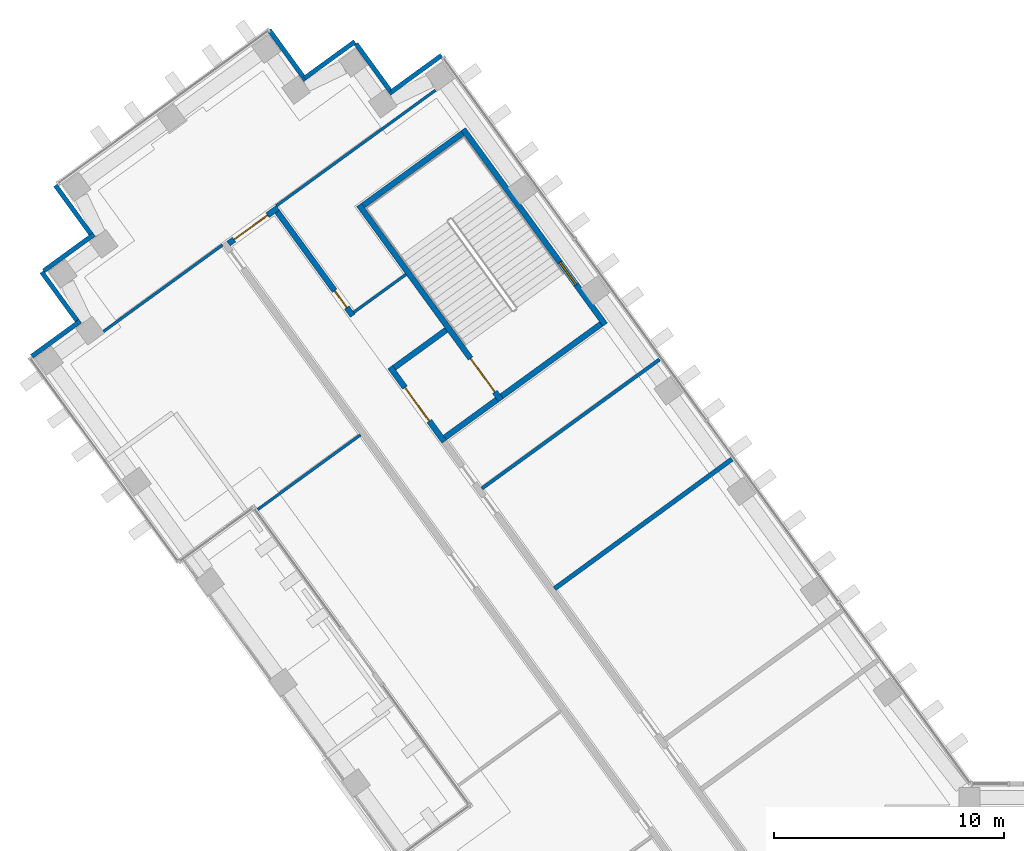
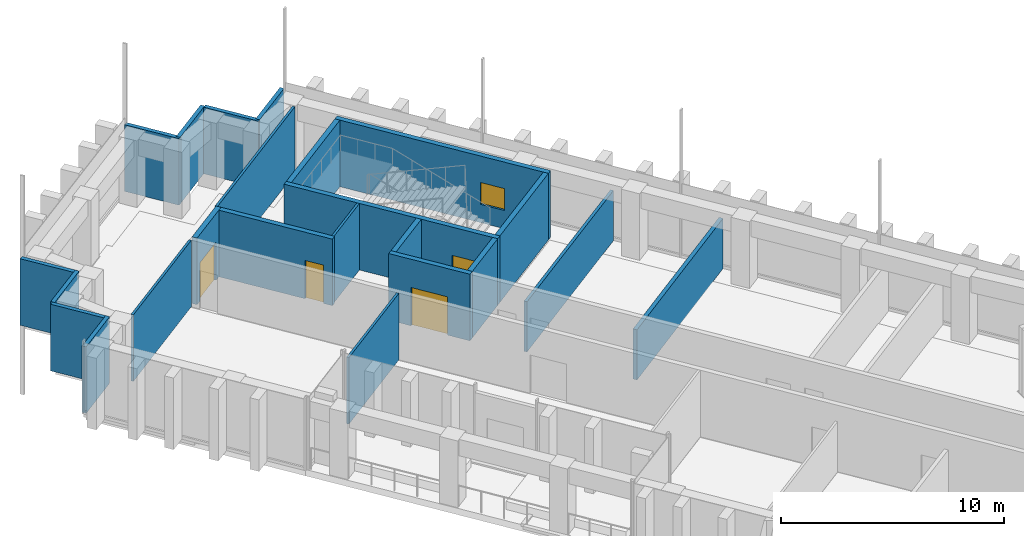
# One storey, part 12 of 19: 23 walls, 4 doors, 1 window, 5 openings.
"""IFC4 building model written with IfcOpenShell, lengths in metres."""

from ifc_helpers import new_model, si_unit, direction, frame, frame_2d, origin, place, context, subcontext, project, spatial, rectangle, extrude, material, layer, layer_set, type_object, element, fill, save


model = new_model("IFC4")

# Units and contexts
model_context = context("Model", 3, precision=1e-05, world=origin(), true_north=direction((0.0, 1.0)))
body_context = subcontext(model_context, "Body", "Model", "MODEL_VIEW")
ifc_project = project(units=[si_unit("LENGTHUNIT", "METRE"), si_unit("AREAUNIT", "SQUARE_METRE"), si_unit("VOLUMEUNIT", "CUBIC_METRE"), si_unit("PLANEANGLEUNIT", "RADIAN"), si_unit("MASSUNIT", "GRAM", prefix="KILO")], contexts=[model_context])

# Site, building, storey
site_placement = place(None, origin())
site = spatial("IfcSite", under=ifc_project, at=site_placement, CompositionType="ELEMENT")
building_placement = place(site_placement, origin())
building = spatial("IfcBuilding", under=site, at=building_placement, Name="Quipu Civic Tower", CompositionType="ELEMENT")
storey_placement = place(building_placement, frame((0.0, 0.0, 47.0)))
storey = spatial("IfcBuildingStorey", under=building, at=storey_placement, Name="L10", CompositionType="ELEMENT", Elevation=47.0)

# Walls
ifc_material_1 = material(Name="Double gypsum plasterboard with mineral wool")
ifc_layer_1 = layer(ifc_material_1, 0.14990234375)
ifc_layer_set_1 = layer_set([ifc_layer_1], Name="Double gypsum plasterboard with mineral wool")
wall_type_1 = type_object("IfcWallType", Name="Acoustic partition 150 plasterboard", PredefinedType="PARTITIONING", material=ifc_layer_set_1)
wall_1_placement = place(storey_placement, frame((-27.873046875, 29.550537109375, 0.0), z_axis=(0.0, 0.0, 1.0), x_axis=(-0.809043311713, -0.587749027879, 0.0)))
element("IfcWall", 1, at=wall_1_placement, inside=storey, type_object=wall_type_1, Name="Partition P15", PredefinedType="PARTITIONING", context=body_context, shape_type="SweptSolid", body=[
    extrude(rectangle(XDim=9.549560546875, YDim=0.14990234375, at=frame_2d((4.77490234375, 0.0))), origin(), (0.0, 0.0, 1.0), 2.75),
])
ifc_material_2 = material(Name="Fired clay blockwork", Category="masonry")
ifc_layer_2 = layer(ifc_material_2, 0.199951171875)
ifc_layer_set_2 = layer_set([ifc_layer_2], Name="Fired clay blockwork")
wall_type_2 = type_object("IfcWallType", Name="Blockwork wall 200", PredefinedType="SOLIDWALL", material=ifc_layer_set_2)
wall_2_placement = place(storey_placement, frame((-32.43701171875, 19.5849609375, 0.0), z_axis=(0.0, 0.0, 1.0), x_axis=(0.807606997933, 0.589721067023, 0.0)))
element("IfcWall", 2, at=wall_2_placement, inside=storey, type_object=wall_type_2, Name="Partition P14", PredefinedType="SOLIDWALL", context=body_context, shape_type="SweptSolid", body=[
    extrude(rectangle(XDim=9.550048828125, YDim=0.199951171875, at=frame_2d((4.77490234375, 0.0))), origin(), (0.0, 0.0, 1.0), 2.75),
])

# Wall, opening, window
ifc_material_3 = material(Name="Concrete C70/85", Category="concrete")
ifc_layer_3 = layer(ifc_material_3, 0.25)
ifc_layer_set_3 = layer_set([ifc_layer_3], Name="Concrete C70/85")
wall_type_3 = type_object("IfcWallType", Name="Core wall 250", PredefinedType="SHEAR", material=ifc_layer_set_3)
wall_3_placement = place(storey_placement, frame((-30.239501953125, 31.06396484375, 0.0), z_axis=(0.0, 0.0, 1.0), x_axis=(-0.587795589702, 0.809009483706, 0.0)))
wall_3 = element("IfcWall", 3, at=wall_3_placement, inside=storey, type_object=wall_type_3, Name="Core wall", PredefinedType="SHEAR", context=body_context, shape_type="SweptSolid", body=[
    extrude(rectangle(XDim=10.5, YDim=0.25, at=frame_2d((5.25, 0.0))), origin(), (0.0, 0.0, 1.0), 3.64990234375),
])
opening_1_placement = place(wall_3_placement, frame((2.14990234375, 0.0, 1.0)))
opening_1 = element("IfcOpeningElement", 4, at=opening_1_placement, cuts=wall_3, Name="Opening SV-6", PredefinedType="OPENING", context=body_context, shape_type="SweptSolid", body=[
    extrude(rectangle(XDim=1.199951171875, YDim=1.199951171875, at=frame_2d((0.60009765625, 0.60009765625))), frame((0.0, 0.135009765625, 0.0), z_axis=(0.0, -1.0, 0.0), x_axis=(1.0, 0.0, 0.0)), (0.0, 0.0, 1.0), 0.27001953125),
])
ifc_material_4 = material(Name="Aluminium louvre", Category="aluminium")
window_type = type_object("IfcWindowType", Name="Stair ventilation louvre 1200 x 1200", PartitioningType="SINGLE_PANEL", PredefinedType="WINDOW", material=ifc_material_4)
window_placement = place(opening_1_placement, origin())
window = element("IfcWindow", 5, at=window_placement, inside=storey, type_object=window_type, Name="Stair ventilation opening", OverallHeight=1.199951171875, OverallWidth=1.199951171875, PartitioningType="SINGLE_PANEL", PredefinedType="WINDOW", context=body_context, shape_type="SweptSolid", body=[
    extrude(rectangle(XDim=1.199951171875, YDim=1.199951171875, at=frame_2d((0.60009765625, 0.60009765625))), frame((0.0, 0.030029296875, 0.0), z_axis=(0.0, -1.0, 0.0), x_axis=(1.0, 0.0, 0.0)), (0.0, 0.0, 1.0), 0.06005859375),
])
fill(opening_1, window)

# Walls
wall_4_placement = place(storey_placement, frame((-30.414306640625, 31.091796875, 0.0), z_axis=(0.0, 0.0, 1.0), x_axis=(-0.8089984606, -0.587810760999, 0.0)))
element("IfcWall", 6, at=wall_4_placement, inside=storey, type_object=wall_type_3, Name="Core wall", PredefinedType="SHEAR", context=body_context, shape_type="SweptSolid", body=[
    extrude(rectangle(XDim=5.35009765625, YDim=0.25, at=frame_2d((2.675048828125, 0.0))), origin(), (0.0, 0.0, 1.0), 3.64990234375),
])
wall_5_placement = place(storey_placement, frame((-36.43896484375, 39.384033203125, 0.0), z_axis=(0.0, 0.0, 1.0), x_axis=(-0.809020161303, -0.587780893365, 0.0)))
element("IfcWall", 7, at=wall_5_placement, inside=storey, type_object=wall_type_3, Name="Core wall", PredefinedType="SHEAR", context=body_context, shape_type="SweptSolid", body=[
    extrude(rectangle(XDim=5.349853515625, YDim=0.25, at=frame_2d((2.6748046875, 0.0))), origin(), (0.0, 0.0, 1.0), 3.64990234375),
])

# Wall, opening, door
wall_6_placement = place(storey_placement, frame((-40.94189453125, 36.26708984375, 0.0), z_axis=(0.0, 0.0, 1.0), x_axis=(0.587795589702, -0.809009483706, 0.0)))
wall_6 = element("IfcWall", 8, at=wall_6_placement, inside=storey, type_object=wall_type_3, Name="Core wall", PredefinedType="SHEAR", context=body_context, shape_type="SweptSolid", body=[
    extrude(rectangle(XDim=10.5, YDim=0.25, at=frame_2d((5.25, 0.0))), origin(), (0.0, 0.0, 1.0), 3.64990234375),
])
opening_2_placement = place(wall_6_placement, frame((8.25, 0.0, 0.0)))
opening_2 = element("IfcOpeningElement", 9, at=opening_2_placement, cuts=wall_6, Name="Opening CD-18", PredefinedType="OPENING", context=body_context, shape_type="SweptSolid", body=[
    extrude(rectangle(XDim=1.800048828125, YDim=2.10009765625, at=frame_2d((0.89990234375, 1.050048828125))), frame((0.0, 0.135009765625, 0.0), z_axis=(0.0, -1.0, 0.0), x_axis=(1.0, 0.0, 0.0)), (0.0, 0.0, 1.0), 0.27001953125),
])
ifc_material_5 = material(Name="Fire rated steel door", Category="steel")
door_type_1 = type_object("IfcDoorType", Name="Fire door FD90 double 1800 x 2100", OperationType="NOTDEFINED", PredefinedType="DOOR", material=ifc_material_5)
door_1_placement = place(opening_2_placement, origin())
door_1 = element("IfcDoor", 10, at=door_1_placement, inside=storey, type_object=door_type_1, Name="Door", OperationType="DOUBLE_DOOR_SINGLE_SWING", OverallHeight=2.10009765625, OverallWidth=1.800048828125, PredefinedType="DOOR", context=body_context, shape_type="SweptSolid", body=[
    extrude(rectangle(XDim=1.800048828125, YDim=2.10009765625, at=frame_2d((0.89990234375, 1.050048828125))), frame((0.0, 0.02490234375, 0.0), z_axis=(0.0, -1.0, 0.0), x_axis=(1.0, 0.0, 0.0)), (0.0, 0.0, 1.0), 0.050048828125),
])
fill(opening_2, door_1)

# Walls
for number, where, z_axis, x_axis, name in (
    (11, (-34.944580078125, 27.800048828125, 0.0), (0.0, 0.0, 1.0), (-0.809041377956, -0.587751689708, 0.0), "Core wall"),
    (12, (-37.14892578125, 30.833984375, 0.0), (0.0, 0.0, 1.0), (-0.808969789945, -0.58785021813, 0.0), "Core wall"),
):
    element("IfcWall", number, at=place(storey_placement, frame(where, z_axis=z_axis, x_axis=x_axis)), inside=storey, type_object=wall_type_3, Name=name, PredefinedType="SHEAR", context=body_context, shape_type="SweptSolid", body=[
        extrude(rectangle(XDim=2.800048828125, YDim=0.25, at=frame_2d((1.39990234375, 0.0))), origin(), (0.0, 0.0, 1.0), 3.64990234375),
    ])

# Wall, opening, door
wall_7_placement = place(storey_placement, frame((-39.588623046875, 29.2158203125, 0.0), z_axis=(0.0, 0.0, 1.0), x_axis=(0.587772420479, -0.809026317077, 0.0)))
wall_7 = element("IfcWall", 13, at=wall_7_placement, inside=storey, type_object=wall_type_3, Name="Core wall", PredefinedType="SHEAR", context=body_context, shape_type="SweptSolid", body=[
    extrude(rectangle(XDim=4.0, YDim=0.25, at=frame_2d((2.0, 0.0))), origin(), (0.0, 0.0, 1.0), 3.64990234375),
])
opening_3_placement = place(wall_7_placement, frame((1.10009765625, 0.0, 0.0)))
opening_3 = element("IfcOpeningElement", 14, at=opening_3_placement, cuts=wall_7, Name="Opening CD-19", PredefinedType="OPENING", context=body_context, shape_type="SweptSolid", body=[
    extrude(rectangle(XDim=1.800048828125, YDim=2.10009765625, at=frame_2d((0.89990234375, 1.050048828125))), frame((0.0, 0.135009765625, 0.0), z_axis=(0.0, -1.0, 0.0), x_axis=(1.0, 0.0, 0.0)), (0.0, 0.0, 1.0), 0.27001953125),
])
door_2_placement = place(opening_3_placement, origin())
door_2 = element("IfcDoor", 15, at=door_2_placement, inside=storey, type_object=door_type_1, Name="Lobby door", OperationType="DOUBLE_DOOR_SINGLE_SWING", OverallHeight=2.10009765625, OverallWidth=1.800048828125, PredefinedType="DOOR", context=body_context, shape_type="SweptSolid", body=[
    extrude(rectangle(XDim=1.800048828125, YDim=2.10009765625, at=frame_2d((0.89990234375, 1.050048828125))), frame((0.0, 0.02490234375, 0.0), z_axis=(0.0, -1.0, 0.0), x_axis=(1.0, 0.0, 0.0)), (0.0, 0.0, 1.0), 0.050048828125),
])
fill(opening_3, door_2)

ifc_material_6 = material(Name="Concrete C50/60", Category="concrete")
ifc_layer_4 = layer(ifc_material_6, 0.25)
ifc_layer_set_4 = layer_set([ifc_layer_4], Name="Concrete C50/60")
wall_type_4 = type_object("IfcWallType", Name="Corridor wall 250 concrete", PredefinedType="SOLIDWALL", material=ifc_layer_set_4)
wall_8_placement = place(storey_placement, frame((-46.613037109375, 34.587890625, 0.0), z_axis=(0.0, 0.0, 1.0), x_axis=(0.808994936898, 0.587815610607, 0.0)))
wall_8 = element("IfcWall", 16, at=wall_8_placement, inside=storey, type_object=wall_type_4, Name="Corridor wall C02", PredefinedType="SOLIDWALL", context=body_context, shape_type="SweptSolid", body=[
    extrude(rectangle(XDim=2.650146484375, YDim=0.25, at=frame_2d((1.3251953125, 0.0))), origin(), (0.0, 0.0, 1.0), 3.64990234375),
])
opening_4_placement = place(wall_8_placement, frame((0.29931640625, 0.0, 0.0)))
opening_4 = element("IfcOpeningElement", 17, at=opening_4_placement, cuts=wall_8, Name="Opening D023", PredefinedType="OPENING", context=body_context, shape_type="SweptSolid", body=[
    extrude(rectangle(XDim=1.800048828125, YDim=2.10009765625, at=frame_2d((0.89990234375, 1.050048828125))), frame((0.0, 0.135009765625, 0.0), z_axis=(0.0, -1.0, 0.0), x_axis=(1.0, 0.0, 0.0)), (0.0, 0.0, 1.0), 0.27001953125),
])
ifc_material_7 = material(Name="Fire rated timber door set with metal frame", Category="wood")
door_type_2 = type_object("IfcDoorType", Name="Double door 1800 x 2100 FD60", OperationType="DOUBLE_DOOR_SINGLE_SWING", PredefinedType="DOOR", material=ifc_material_7)
door_3_placement = place(opening_4_placement, origin())
door_3 = element("IfcDoor", 18, at=door_3_placement, inside=storey, type_object=door_type_2, Name="Door D023", OperationType="DOUBLE_DOOR_SINGLE_SWING", OverallHeight=2.10009765625, OverallWidth=1.800048828125, PredefinedType="DOOR", context=body_context, shape_type="SweptSolid", body=[
    extrude(rectangle(XDim=1.800048828125, YDim=2.10009765625, at=frame_2d((0.89990234375, 1.050048828125))), frame((0.0, 0.02490234375, 0.0), z_axis=(0.0, -1.0, 0.0), x_axis=(1.0, 0.0, 0.0)), (0.0, 0.0, 1.0), 0.050048828125),
])
fill(opening_4, door_3)

wall_9_placement = place(storey_placement, frame((-44.49658203125, 35.97119140625, 0.0), z_axis=(0.0, 0.0, 1.0), x_axis=(0.587742866856, -0.809047787501, 0.0)))
wall_9 = element("IfcWall", 19, at=wall_9_placement, inside=storey, type_object=wall_type_4, Name="Corridor wall C03", PredefinedType="SOLIDWALL", context=body_context, shape_type="SweptSolid", body=[
    extrude(rectangle(XDim=5.58642578125, YDim=0.25, at=frame_2d((2.793212890625, 0.0))), origin(), (0.0, 0.0, 1.0), 3.64990234375),
])
opening_5_placement = place(wall_9_placement, frame((4.2451171875, 0.0, 0.0)))
opening_5 = element("IfcOpeningElement", 20, at=opening_5_placement, cuts=wall_9, Name="Opening D012", PredefinedType="OPENING", context=body_context, shape_type="SweptSolid", body=[
    extrude(rectangle(XDim=0.89990234375, YDim=2.10009765625, at=frame_2d((0.449951171875, 1.050048828125))), frame((0.0, 0.135009765625, 0.0), z_axis=(0.0, -1.0, 0.0), x_axis=(1.0, 0.0, 0.0)), (0.0, 0.0, 1.0), 0.27001953125),
])
ifc_material_8 = material(Name="Fire rated timber door set with metal frame", Category="wood")
door_type_3 = type_object("IfcDoorType", Name="Single door 900 x 2100 FD60", OperationType="NOTDEFINED", PredefinedType="DOOR", material=ifc_material_8)
door_4_placement = place(opening_5_placement, origin())
door_4 = element("IfcDoor", 21, at=door_4_placement, inside=storey, type_object=door_type_3, Name="Door D012", OperationType="SINGLE_SWING_RIGHT", OverallHeight=2.10009765625, OverallWidth=0.89990234375, PredefinedType="DOOR", context=body_context, shape_type="SweptSolid", body=[
    extrude(rectangle(XDim=0.89990234375, YDim=2.10009765625, at=frame_2d((0.449951171875, 1.050048828125))), frame((0.0, 0.02490234375, 0.0), z_axis=(0.0, -1.0, 0.0), x_axis=(1.0, 0.0, 0.0)), (0.0, 0.0, 1.0), 0.050048828125),
])
fill(opening_5, door_4)

# Walls
ifc_material_9 = material(Name="Gypsum plasterboard on light gauge framing")
ifc_layer_5 = layer(ifc_material_9, 0.1201171875)
ifc_layer_set_5 = layer_set([ifc_layer_5], Name="Gypsum plasterboard on light gauge framing")
wall_type_5 = type_object("IfcWallType", Name="Partition 120 plasterboard", PredefinedType="PARTITIONING", material=ifc_layer_set_5)
wall_10_placement = place(storey_placement, frame((-40.878173828125, 26.269775390625, 0.0), z_axis=(0.0, 0.0, 1.0), x_axis=(-0.809101125304, -0.587669438572, 0.0)))
element("IfcWall", 22, at=wall_10_placement, inside=storey, type_object=wall_type_5, Name="Partition P03", PredefinedType="PARTITIONING", context=body_context, shape_type="SweptSolid", body=[
    extrude(rectangle(XDim=5.521484375, YDim=0.1201171875, at=frame_2d((2.7607421875, 0.0))), origin(), (0.0, 0.0, 1.0), 3.64990234375),
])
wall_11_placement = place(storey_placement, frame((-37.614013671875, 41.2568359375, 0.0), z_axis=(0.0, 0.0, 1.0), x_axis=(-0.808991595707, -0.587820208972, 0.0)))
element("IfcWall", 23, at=wall_11_placement, inside=storey, type_object=wall_type_5, Name="Partition P08", PredefinedType="PARTITIONING", context=body_context, shape_type="SweptSolid", body=[
    extrude(rectangle(XDim=8.550537109375, YDim=0.1201171875, at=frame_2d((4.275390625, 0.0))), origin(), (0.0, 0.0, 1.0), 3.64990234375),
])
wall_12_placement = place(storey_placement, frame((-46.877197265625, 34.52587890625, 0.0), z_axis=(0.0, 0.0, 1.0), x_axis=(-0.808993566199, -0.587817497059, 0.0)))
element("IfcWall", 24, at=wall_12_placement, inside=storey, type_object=wall_type_5, Name="Partition P09", PredefinedType="PARTITIONING", context=body_context, shape_type="SweptSolid", body=[
    extrude(rectangle(XDim=6.39453125, YDim=0.1201171875, at=frame_2d((3.197265625, 0.0))), origin(), (0.0, 0.0, 1.0), 3.64990234375),
])
wall_13_placement = place(storey_placement, frame((-41.166015625, 31.59912109375, 0.0), z_axis=(0.0, 0.0, 1.0), x_axis=(0.809090262332, 0.587684394381, 0.0)))
element("IfcWall", 25, at=wall_13_placement, inside=storey, type_object=wall_type_5, Name="Partition P21", PredefinedType="PARTITIONING", context=body_context, shape_type="SweptSolid", body=[
    extrude(rectangle(XDim=2.80078125, YDim=0.1201171875, at=frame_2d((1.400390625, 0.0))), origin(), (0.0, 0.0, 1.0), 3.64990234375),
])
ifc_material_10 = material(Name="Precast concrete C40/50", Category="concrete")
wall_type_6 = type_object("IfcWallType", Name="Precast cladding wall", PredefinedType="SOLIDWALL", material=ifc_material_10)
wall_14_placement = place(storey_placement, frame((-52.46533203125, 34.9873046875, 0.0), z_axis=(0.0, 0.0, 1.0), x_axis=(-0.809033161865, -0.587762999008, 0.0)))
element("IfcWall", 26, at=wall_14_placement, inside=storey, type_object=wall_type_6, Name="Precast cladding wall L10 P01", PredefinedType="SOLIDWALL", context=body_context, shape_type="SweptSolid", body=[
    extrude(rectangle(XDim=2.699951171875, YDim=0.199951171875, at=frame_2d((1.35009765625, 0.0))), origin(), (0.0, 0.0, 1.0), 3.64990234375),
])
wall_15_placement = place(storey_placement, frame((-54.73779296875, 33.351318359375, 0.0), z_axis=(0.0, 0.0, 1.0), x_axis=(0.587779184282, -0.809021403008, 0.0)))
element("IfcWall", 27, at=wall_15_placement, inside=storey, type_object=wall_type_6, Name="Precast cladding wall L10 P02", PredefinedType="SOLIDWALL", context=body_context, shape_type="SweptSolid", body=[
    extrude(rectangle(XDim=2.7001953125, YDim=0.199951171875, at=frame_2d((1.35009765625, 0.0))), origin(), (0.0, 0.0, 1.0), 3.64990234375),
])
wall_16_placement = place(storey_placement, frame((-53.062744140625, 31.2158203125, 0.0), z_axis=(0.0, 0.0, 1.0), x_axis=(-0.80902431253, -0.587775179585, 0.0)))
element("IfcWall", 28, at=wall_16_placement, inside=storey, type_object=wall_type_6, Name="Precast cladding wall L10 P03", PredefinedType="SOLIDWALL", context=body_context, shape_type="SweptSolid", body=[
    extrude(rectangle(XDim=2.599853515625, YDim=0.199951171875, at=frame_2d((1.2998046875, 0.0))), origin(), (0.0, 0.0, 1.0), 3.64990234375),
])
wall_17_placement = place(storey_placement, frame((-37.352783203125, 42.768310546875, 0.0), z_axis=(0.0, 0.0, 1.0), x_axis=(-0.809033161865, -0.587762999008, 0.0)))
element("IfcWall", 29, at=wall_17_placement, inside=storey, type_object=wall_type_6, Name="Precast cladding wall L10 P33", PredefinedType="SOLIDWALL", context=body_context, shape_type="SweptSolid", body=[
    extrude(rectangle(XDim=2.699951171875, YDim=0.199951171875, at=frame_2d((1.35009765625, 0.0))), origin(), (0.0, 0.0, 1.0), 3.64990234375),
])
wall_18_placement = place(storey_placement, frame((-39.488037109375, 41.093505859375, 0.0), z_axis=(0.0, 0.0, 1.0), x_axis=(-0.587806000234, 0.809001919707, 0.0)))
element("IfcWall", 30, at=wall_18_placement, inside=storey, type_object=wall_type_6, Name="Precast cladding wall L10 P34", PredefinedType="SOLIDWALL", context=body_context, shape_type="SweptSolid", body=[
    extrude(rectangle(XDim=2.69970703125, YDim=0.199951171875, at=frame_2d((1.349853515625, 0.0))), origin(), (0.0, 0.0, 1.0), 3.64990234375),
])
for number, where, z_axis, x_axis, name in (
    (31, (-41.1240234375, 43.36572265625, 0.0), (0.0, 0.0, 1.0), (-0.809033161865, -0.587762999008, 0.0), "Precast cladding wall L10 P35"),
    (32, (-43.25927734375, 41.690673828125, 0.0), (0.0, 0.0, 1.0), (-0.587822180636, 0.808990163075, 0.0), "Precast cladding wall L10 P36"),
    (33, (-54.140380859375, 37.12255859375, 0.0), (0.0, 0.0, 1.0), (0.587822180636, -0.808990163075, 0.0), "Precast cladding wall L10 P38"),
):
    element("IfcWall", number, at=place(storey_placement, frame(where, z_axis=z_axis, x_axis=x_axis)), inside=storey, type_object=wall_type_6, Name=name, PredefinedType="SOLIDWALL", context=body_context, shape_type="SweptSolid", body=[
        extrude(rectangle(XDim=2.699951171875, YDim=0.199951171875, at=frame_2d((1.35009765625, 0.0))), origin(), (0.0, 0.0, 1.0), 3.64990234375),
    ])

save(model, "model.ifc")
